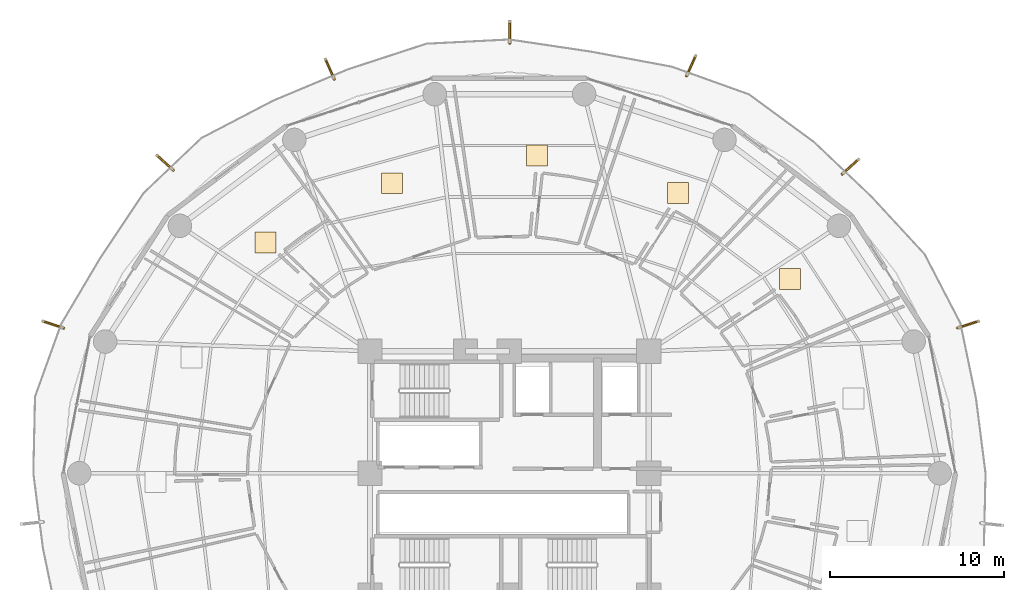
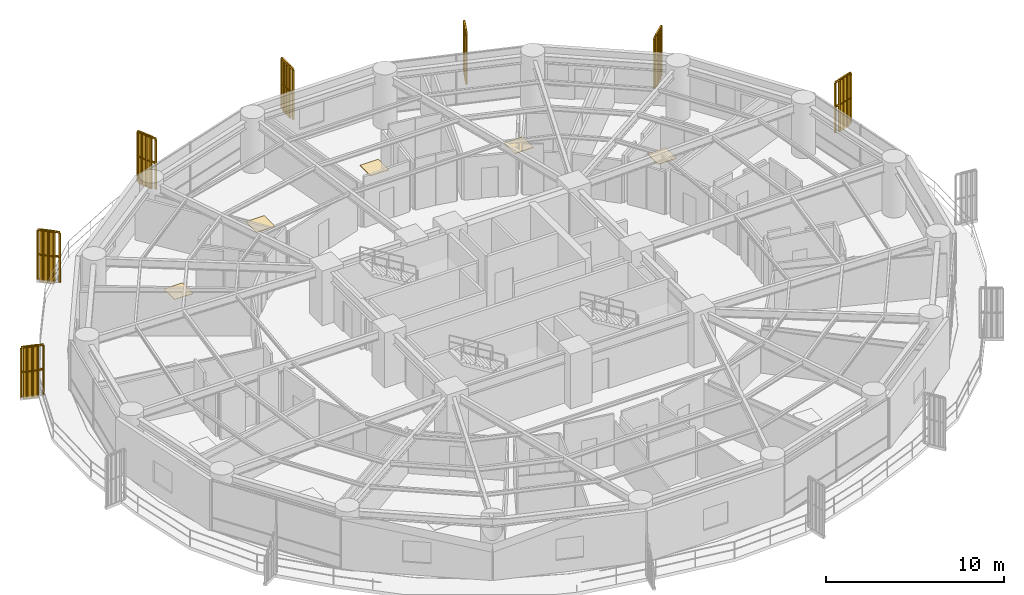
# One storey, part 35 of 35: 7 railings, 7 shading devices, 5 coverings.
"""IFC4 building model written with IfcOpenShell, lengths in metres."""

from ifc_helpers import new_model, si_unit, direction, frame, origin, origin_2d, place, context, subcontext, project, spatial, polyline, rectangle, outline, extrude, source, transform, mapped, material, layer, layer_set, type_object, element, save


model = new_model("IFC4")

# Units and contexts
model_context = context("Model", 3, precision=1e-05, world=origin(), true_north=direction((0.0, 1.0)))
body_context = subcontext(model_context, "Body", "Model", "MODEL_VIEW")
ifc_project = project(units=[si_unit("LENGTHUNIT", "METRE"), si_unit("AREAUNIT", "SQUARE_METRE"), si_unit("VOLUMEUNIT", "CUBIC_METRE"), si_unit("PLANEANGLEUNIT", "RADIAN"), si_unit("MASSUNIT", "GRAM", prefix="KILO")], contexts=[model_context])

# Site, building, storey
site_placement = place(None, origin())
site = spatial("IfcSite", under=ifc_project, at=site_placement, CompositionType="ELEMENT")
building_placement = place(site_placement, origin())
building = spatial("IfcBuilding", under=site, at=building_placement, Name="Kelanora Arch Commons", CompositionType="ELEMENT")
storey_placement = place(building_placement, frame((0.0, 0.0, 87.60009765625)))
storey = spatial("IfcBuildingStorey", under=building, at=storey_placement, Name="L22", CompositionType="ELEMENT", Elevation=87.60009765625)

# Railings
ifc_material_1 = material(Name="Anodised bronze vertical shading fin rib assembly")
railing_type = type_object("IfcRailingType", Name="RAIL-FIN-BRZ", PredefinedType="BALUSTRADE", material=ifc_material_1)
railing_1_placement = place(storey_placement, frame((93.08837890625, 75.162109375, -0.02001953125)))
element("IfcRailing", 1, at=railing_1_placement, inside=storey, type_object=railing_type, Name="Sweeping Bronze Vertical Fin Blade L22-00", PredefinedType="BALUSTRADE", context=body_context, shape_type="SweptSolid", body=[
    extrude(outline(polyline([(0.06982421875, 0.0), (0.034912109375, 0.060546875), (-0.034912109375, 0.060546875), (-0.06982421875, 0.0), (-0.034912109375, -0.060546875), (0.034912109375, -0.060546875), (0.06982421875, 0.0)])), frame((0.0, 0.0, 3.419921875), z_axis=(0.743734238384, 0.668475416643, 0.0), x_axis=(-0.668475416643, 0.743734238384, 0.0)), (0.0, 0.0, 1.0), 1.268310546875),
    extrude(outline(polyline([(0.06982421875, 0.0), (0.034912109375, 0.060546875), (-0.034912109375, 0.060546875), (-0.06982421875, 0.0), (-0.034912109375, -0.060546875), (0.034912109375, -0.060546875), (0.06982421875, 0.0)])), frame((0.0, 0.0, 1.7451171875), z_axis=(0.743734238384, 0.668475416643, 0.0), x_axis=(-0.668475416643, 0.743734238384, 0.0)), (0.0, 0.0, 1.0), 1.268310546875),
    extrude(outline(polyline([(0.080078125, 0.0), (0.0400390625, 0.0693359375), (-0.0400390625, 0.0693359375), (-0.080078125, 0.0), (-0.0400390625, -0.0693359375), (0.0400390625, -0.0693359375), (0.080078125, 0.0)])), origin(), (0.0, 0.0, 1.0), 3.35009765625),
    extrude(outline(polyline([(0.080078125, 0.0), (0.0400390625, 0.0693359375), (-0.0400390625, 0.0693359375), (-0.080078125, 0.0), (-0.0400390625, -0.0693359375), (0.0400390625, -0.0693359375), (0.080078125, 0.0)])), frame((0.23583984375, 0.2119140625, 0.0)), (0.0, 0.0, 1.0), 3.35009765625),
    extrude(outline(polyline([(0.080078125, 0.0), (0.0400390625, 0.0693359375), (-0.0400390625, 0.0693359375), (-0.080078125, 0.0), (-0.0400390625, -0.0693359375), (0.0400390625, -0.0693359375), (0.080078125, 0.0)])), frame((0.4716796875, 0.423828125, 0.0)), (0.0, 0.0, 1.0), 3.35009765625),
    extrude(outline(polyline([(0.080078125, 0.0), (0.0400390625, 0.0693359375), (-0.0400390625, 0.0693359375), (-0.080078125, 0.0), (-0.0400390625, -0.0693359375), (0.0400390625, -0.0693359375), (0.080078125, 0.0)])), frame((0.70751953125, 0.635986328125, 0.0)), (0.0, 0.0, 1.0), 3.35009765625),
    extrude(outline(polyline([(0.080078125, 0.0), (0.0400390625, 0.0693359375), (-0.0400390625, 0.0693359375), (-0.080078125, 0.0), (-0.0400390625, -0.0693359375), (0.0400390625, -0.0693359375), (0.080078125, 0.0)])), frame((0.943359375, 0.847900390625, 0.0)), (0.0, 0.0, 1.0), 3.35009765625),
])
railing_2_placement = place(storey_placement, frame((84.165283203125, 80.78662109375, -0.02001953125)))
element("IfcRailing", 2, at=railing_2_placement, inside=storey, type_object=railing_type, Name="Sweeping Bronze Vertical Fin Blade L22-01", PredefinedType="BALUSTRADE", context=body_context, shape_type="SweptSolid", body=[
    extrude(outline(polyline([(0.06982421875, 0.0), (0.034912109375, 0.060546875), (-0.034912109375, 0.060546875), (-0.06982421875, 0.0), (-0.034912109375, -0.060546875), (0.034912109375, -0.060546875), (0.06982421875, 0.0)])), frame((0.0, 0.0, 3.419921875), z_axis=(0.407352711097, 0.913270917506, 0.0), x_axis=(-0.913270917506, 0.407352711097, 0.0)), (0.0, 0.0, 1.0), 1.268310546875),
    extrude(outline(polyline([(0.06982421875, 0.0), (0.034912109375, 0.060546875), (-0.034912109375, 0.060546875), (-0.06982421875, 0.0), (-0.034912109375, -0.060546875), (0.034912109375, -0.060546875), (0.06982421875, 0.0)])), frame((0.0, 0.0, 1.7451171875), z_axis=(0.407352711097, 0.913270917506, 0.0), x_axis=(-0.913270917506, 0.407352711097, 0.0)), (0.0, 0.0, 1.0), 1.268310546875),
    extrude(outline(polyline([(0.080078125, 0.0), (0.0400390625, 0.0693359375), (-0.0400390625, 0.0693359375), (-0.080078125, 0.0), (-0.0400390625, -0.0693359375), (0.0400390625, -0.0693359375), (0.080078125, 0.0)])), origin(), (0.0, 0.0, 1.0), 3.35009765625),
    extrude(outline(polyline([(0.080078125, 0.0), (0.0400390625, 0.0693359375), (-0.0400390625, 0.0693359375), (-0.080078125, 0.0), (-0.0400390625, -0.0693359375), (0.0400390625, -0.0693359375), (0.080078125, 0.0)])), frame((0.129150390625, 0.28955078125, 0.0)), (0.0, 0.0, 1.0), 3.35009765625),
    extrude(outline(polyline([(0.080078125, 0.0), (0.0400390625, 0.0693359375), (-0.0400390625, 0.0693359375), (-0.080078125, 0.0), (-0.0400390625, -0.0693359375), (0.0400390625, -0.0693359375), (0.080078125, 0.0)])), frame((0.25830078125, 0.5791015625, 0.0)), (0.0, 0.0, 1.0), 3.35009765625),
    extrude(outline(polyline([(0.080078125, 0.0), (0.0400390625, 0.0693359375), (-0.0400390625, 0.0693359375), (-0.080078125, 0.0), (-0.0400390625, -0.0693359375), (0.0400390625, -0.0693359375), (0.080078125, 0.0)])), frame((0.387451171875, 0.86865234375, 0.0)), (0.0, 0.0, 1.0), 3.35009765625),
    extrude(outline(polyline([(0.080078125, 0.0), (0.0400390625, 0.0693359375), (-0.0400390625, 0.0693359375), (-0.080078125, 0.0), (-0.0400390625, -0.0693359375), (0.0400390625, -0.0693359375), (0.080078125, 0.0)])), frame((0.5166015625, 1.158203125, 0.0)), (0.0, 0.0, 1.0), 3.35009765625),
])
railing_3_placement = place(storey_placement, frame((74.01806640625, 82.66357421875, -0.02001953125)))
element("IfcRailing", 3, at=railing_3_placement, inside=storey, type_object=railing_type, Name="Sweeping Bronze Vertical Fin Blade L22-02", PredefinedType="BALUSTRADE", context=body_context, shape_type="SweptSolid", body=[
    extrude(outline(polyline([(0.06982421875, 0.0), (0.034912109375, 0.060546875), (-0.034912109375, 0.060546875), (-0.06982421875, 0.0), (-0.034912109375, -0.060546875), (0.034912109375, -0.060546875), (0.06982421875, 0.0)])), frame((0.0, 0.0, 3.419921875), z_axis=(0.000769822713, 0.999999703686, 0.0), x_axis=(-0.999999703686, 0.000769822713, 0.0)), (0.0, 0.0, 1.0), 1.2685546875),
    extrude(outline(polyline([(0.06982421875, 0.0), (0.034912109375, 0.060546875), (-0.034912109375, 0.060546875), (-0.06982421875, 0.0), (-0.034912109375, -0.060546875), (0.034912109375, -0.060546875), (0.06982421875, 0.0)])), frame((0.0, 0.0, 1.7451171875), z_axis=(0.000769822713, 0.999999703686, 0.0), x_axis=(-0.999999703686, 0.000769822713, 0.0)), (0.0, 0.0, 1.0), 1.2685546875),
    extrude(outline(polyline([(0.080078125, 0.0), (0.0400390625, 0.0693359375), (-0.0400390625, 0.0693359375), (-0.080078125, 0.0), (-0.0400390625, -0.0693359375), (0.0400390625, -0.0693359375), (0.080078125, 0.0)])), origin(), (0.0, 0.0, 1.0), 3.35009765625),
    extrude(outline(polyline([(0.080078125, 0.0), (0.0400390625, 0.0693359375), (-0.0400390625, 0.0693359375), (-0.080078125, 0.0), (-0.0400390625, -0.0693359375), (0.0400390625, -0.0693359375), (0.080078125, 0.0)])), frame((0.000244140625, 0.317138671875, 0.0)), (0.0, 0.0, 1.0), 3.35009765625),
    extrude(outline(polyline([(0.080078125, 0.0), (0.0400390625, 0.0693359375), (-0.0400390625, 0.0693359375), (-0.080078125, 0.0), (-0.0400390625, -0.0693359375), (0.0400390625, -0.0693359375), (0.080078125, 0.0)])), frame((0.00048828125, 0.63427734375, 0.0)), (0.0, 0.0, 1.0), 3.35009765625),
    extrude(outline(polyline([(0.080078125, 0.0), (0.0400390625, 0.0693359375), (-0.0400390625, 0.0693359375), (-0.080078125, 0.0), (-0.0400390625, -0.0693359375), (0.0400390625, -0.0693359375), (0.080078125, 0.0)])), frame((0.000732421875, 0.951416015625, 0.0)), (0.0, 0.0, 1.0), 3.35009765625),
    extrude(outline(polyline([(0.080078125, 0.0), (0.0400390625, 0.0693359375), (-0.0400390625, 0.0693359375), (-0.080078125, 0.0), (-0.0400390625, -0.0693359375), (0.0400390625, -0.0693359375), (0.080078125, 0.0)])), frame((0.0009765625, 1.2685546875, 0.0)), (0.0, 0.0, 1.0), 3.35009765625),
])
railing_4_placement = place(storey_placement, frame((63.954833984375, 80.6064453125, -0.02001953125)))
element("IfcRailing", 4, at=railing_4_placement, inside=storey, type_object=railing_type, Name="Sweeping Bronze Vertical Fin Blade L22-03", PredefinedType="BALUSTRADE", context=body_context, shape_type="SweptSolid", body=[
    extrude(outline(polyline([(0.06982421875, 0.0), (0.034912109375, 0.060546875), (-0.034912109375, 0.060546875), (-0.06982421875, 0.0), (-0.034912109375, -0.060546875), (0.034912109375, -0.060546875), (0.06982421875, 0.0)])), frame((0.0, 0.0, 3.419921875), z_axis=(-0.406102750448, 0.913827421387, 0.0), x_axis=(-0.913827421387, -0.406102750448, 0.0)), (0.0, 0.0, 1.0), 1.2685546875),
    extrude(outline(polyline([(0.06982421875, 0.0), (0.034912109375, 0.060546875), (-0.034912109375, 0.060546875), (-0.06982421875, 0.0), (-0.034912109375, -0.060546875), (0.034912109375, -0.060546875), (0.06982421875, 0.0)])), frame((0.0, 0.0, 1.7451171875), z_axis=(-0.406102750448, 0.913827421387, 0.0), x_axis=(-0.913827421387, -0.406102750448, 0.0)), (0.0, 0.0, 1.0), 1.2685546875),
    extrude(outline(polyline([(0.080078125, 0.0), (0.0400390625, 0.0693359375), (-0.0400390625, 0.0693359375), (-0.080078125, 0.0), (-0.0400390625, -0.0693359375), (0.0400390625, -0.0693359375), (0.080078125, 0.0)])), origin(), (0.0, 0.0, 1.0), 3.35009765625),
    extrude(outline(polyline([(0.080078125, 0.0), (0.0400390625, 0.0693359375), (-0.0400390625, 0.0693359375), (-0.080078125, 0.0), (-0.0400390625, -0.0693359375), (0.0400390625, -0.0693359375), (0.080078125, 0.0)])), frame((-0.12890625, 0.289794921875, 0.0)), (0.0, 0.0, 1.0), 3.35009765625),
    extrude(outline(polyline([(0.080078125, 0.0), (0.0400390625, 0.0693359375), (-0.0400390625, 0.0693359375), (-0.080078125, 0.0), (-0.0400390625, -0.0693359375), (0.0400390625, -0.0693359375), (0.080078125, 0.0)])), frame((-0.257568359375, 0.57958984375, 0.0)), (0.0, 0.0, 1.0), 3.35009765625),
    extrude(outline(polyline([(0.080078125, 0.0), (0.0400390625, 0.0693359375), (-0.0400390625, 0.0693359375), (-0.080078125, 0.0), (-0.0400390625, -0.0693359375), (0.0400390625, -0.0693359375), (0.080078125, 0.0)])), frame((-0.38623046875, 0.869384765625, 0.0)), (0.0, 0.0, 1.0), 3.35009765625),
    extrude(outline(polyline([(0.080078125, 0.0), (0.0400390625, 0.0693359375), (-0.0400390625, 0.0693359375), (-0.080078125, 0.0), (-0.0400390625, -0.0693359375), (0.0400390625, -0.0693359375), (0.080078125, 0.0)])), frame((-0.51513671875, 1.1591796875, 0.0)), (0.0, 0.0, 1.0), 3.35009765625),
])
railing_5_placement = place(storey_placement, frame((54.71484375, 75.389892578125, -0.02001953125)))
element("IfcRailing", 5, at=railing_5_placement, inside=storey, type_object=railing_type, Name="Sweeping Bronze Vertical Fin Blade L22-04", PredefinedType="BALUSTRADE", context=body_context, shape_type="SweptSolid", body=[
    extrude(outline(polyline([(0.06982421875, 0.0), (0.034912109375, 0.060546875), (-0.034912109375, 0.060546875), (-0.06982421875, 0.0), (-0.034912109375, -0.060546875), (0.034912109375, -0.060546875), (0.06982421875, 0.0)])), frame((0.0, 0.0, 3.419921875), z_axis=(-0.74263352754, 0.669698024317, 0.0), x_axis=(-0.669698024317, -0.74263352754, 0.0)), (0.0, 0.0, 1.0), 1.2685546875),
    extrude(outline(polyline([(0.06982421875, 0.0), (0.034912109375, 0.060546875), (-0.034912109375, 0.060546875), (-0.06982421875, 0.0), (-0.034912109375, -0.060546875), (0.034912109375, -0.060546875), (0.06982421875, 0.0)])), frame((0.0, 0.0, 1.7451171875), z_axis=(-0.74263352754, 0.669698024317, 0.0), x_axis=(-0.669698024317, -0.74263352754, 0.0)), (0.0, 0.0, 1.0), 1.2685546875),
    extrude(outline(polyline([(0.080078125, 0.0), (0.0400390625, 0.0693359375), (-0.0400390625, 0.0693359375), (-0.080078125, 0.0), (-0.0400390625, -0.0693359375), (0.0400390625, -0.0693359375), (0.080078125, 0.0)])), origin(), (0.0, 0.0, 1.0), 3.35009765625),
    extrude(outline(polyline([(0.080078125, 0.0), (0.0400390625, 0.0693359375), (-0.0400390625, 0.0693359375), (-0.080078125, 0.0), (-0.0400390625, -0.0693359375), (0.0400390625, -0.0693359375), (0.080078125, 0.0)])), frame((-0.235595703125, 0.21240234375, 0.0)), (0.0, 0.0, 1.0), 3.35009765625),
    extrude(outline(polyline([(0.080078125, 0.0), (0.0400390625, 0.0693359375), (-0.0400390625, 0.0693359375), (-0.080078125, 0.0), (-0.0400390625, -0.0693359375), (0.0400390625, -0.0693359375), (0.080078125, 0.0)])), frame((-0.47119140625, 0.4248046875, 0.0)), (0.0, 0.0, 1.0), 3.35009765625),
    extrude(outline(polyline([(0.080078125, 0.0), (0.0400390625, 0.0693359375), (-0.0400390625, 0.0693359375), (-0.080078125, 0.0), (-0.0400390625, -0.0693359375), (0.0400390625, -0.0693359375), (0.080078125, 0.0)])), frame((-0.70654296875, 0.63720703125, 0.0)), (0.0, 0.0, 1.0), 3.35009765625),
    extrude(outline(polyline([(0.080078125, 0.0), (0.0400390625, 0.0693359375), (-0.0400390625, 0.0693359375), (-0.080078125, 0.0), (-0.0400390625, -0.0693359375), (0.0400390625, -0.0693359375), (0.080078125, 0.0)])), frame((-0.942138671875, 0.849609375, 0.0)), (0.0, 0.0, 1.0), 3.35009765625),
])
railing_6_placement = place(storey_placement, frame((48.431396484375, 66.328369140625, -0.02001953125)))
element("IfcRailing", 6, at=railing_6_placement, inside=storey, type_object=railing_type, Name="Sweeping Bronze Vertical Fin Blade L22-05", PredefinedType="BALUSTRADE", context=body_context, shape_type="SweptSolid", body=[
    extrude(outline(polyline([(0.06982421875, 0.0), (0.034912109375, 0.060546875), (-0.034912109375, 0.060546875), (-0.06982421875, 0.0), (-0.034912109375, -0.060546875), (0.034912109375, -0.060546875), (0.06982421875, 0.0)])), frame((0.0, 0.0, 3.419921875), z_axis=(-0.950835847572, 0.309695319584, 0.0), x_axis=(-0.309695319584, -0.950835847572, 0.0)), (0.0, 0.0, 1.0), 1.268310546875),
    extrude(outline(polyline([(0.06982421875, 0.0), (0.034912109375, 0.060546875), (-0.034912109375, 0.060546875), (-0.06982421875, 0.0), (-0.034912109375, -0.060546875), (0.034912109375, -0.060546875), (0.06982421875, 0.0)])), frame((0.0, 0.0, 1.7451171875), z_axis=(-0.950835847572, 0.309695319584, 0.0), x_axis=(-0.309695319584, -0.950835847572, 0.0)), (0.0, 0.0, 1.0), 1.268310546875),
    extrude(outline(polyline([(0.080078125, 0.0), (0.0400390625, 0.0693359375), (-0.0400390625, 0.0693359375), (-0.080078125, 0.0), (-0.0400390625, -0.0693359375), (0.0400390625, -0.0693359375), (0.080078125, 0.0)])), origin(), (0.0, 0.0, 1.0), 3.35009765625),
    extrude(outline(polyline([(0.080078125, 0.0), (0.0400390625, 0.0693359375), (-0.0400390625, 0.0693359375), (-0.080078125, 0.0), (-0.0400390625, -0.0693359375), (0.0400390625, -0.0693359375), (0.080078125, 0.0)])), frame((-0.301513671875, 0.09814453125, 0.0)), (0.0, 0.0, 1.0), 3.35009765625),
    extrude(outline(polyline([(0.080078125, 0.0), (0.0400390625, 0.0693359375), (-0.0400390625, 0.0693359375), (-0.080078125, 0.0), (-0.0400390625, -0.0693359375), (0.0400390625, -0.0693359375), (0.080078125, 0.0)])), frame((-0.60302734375, 0.1962890625, 0.0)), (0.0, 0.0, 1.0), 3.35009765625),
    extrude(outline(polyline([(0.080078125, 0.0), (0.0400390625, 0.0693359375), (-0.0400390625, 0.0693359375), (-0.080078125, 0.0), (-0.0400390625, -0.0693359375), (0.0400390625, -0.0693359375), (0.080078125, 0.0)])), frame((-0.904541015625, 0.294677734375, 0.0)), (0.0, 0.0, 1.0), 3.35009765625),
    extrude(outline(polyline([(0.080078125, 0.0), (0.0400390625, 0.0693359375), (-0.0400390625, 0.0693359375), (-0.080078125, 0.0), (-0.0400390625, -0.0693359375), (0.0400390625, -0.0693359375), (0.080078125, 0.0)])), frame((-1.2060546875, 0.392822265625, 0.0)), (0.0, 0.0, 1.0), 3.35009765625),
])
railing_7_placement = place(storey_placement, frame((99.706298828125, 66.331787109375, -0.02001953125)))
element("IfcRailing", 7, at=railing_7_placement, inside=storey, type_object=railing_type, Name="Sweeping Bronze Vertical Fin Blade L22-14", PredefinedType="BALUSTRADE", context=body_context, shape_type="SweptSolid", body=[
    extrude(outline(polyline([(0.06982421875, 0.0), (0.034912109375, 0.060546875), (-0.034912109375, 0.060546875), (-0.06982421875, 0.0), (-0.034912109375, -0.060546875), (0.034912109375, -0.060546875), (0.06982421875, 0.0)])), frame((0.0, 0.0, 3.419921875), z_axis=(0.951286906454, 0.308307024912, 0.0), x_axis=(-0.308307024912, 0.951286906454, 0.0)), (0.0, 0.0, 1.0), 1.2685546875),
    extrude(outline(polyline([(0.06982421875, 0.0), (0.034912109375, 0.060546875), (-0.034912109375, 0.060546875), (-0.06982421875, 0.0), (-0.034912109375, -0.060546875), (0.034912109375, -0.060546875), (0.06982421875, 0.0)])), frame((0.0, 0.0, 1.7451171875), z_axis=(0.951286906454, 0.308307024912, 0.0), x_axis=(-0.308307024912, 0.951286906454, 0.0)), (0.0, 0.0, 1.0), 1.2685546875),
    extrude(outline(polyline([(0.080078125, 0.0), (0.0400390625, 0.0693359375), (-0.0400390625, 0.0693359375), (-0.080078125, 0.0), (-0.0400390625, -0.0693359375), (0.0400390625, -0.0693359375), (0.080078125, 0.0)])), origin(), (0.0, 0.0, 1.0), 3.35009765625),
    extrude(outline(polyline([(0.080078125, 0.0), (0.0400390625, 0.0693359375), (-0.0400390625, 0.0693359375), (-0.080078125, 0.0), (-0.0400390625, -0.0693359375), (0.0400390625, -0.0693359375), (0.080078125, 0.0)])), frame((0.3017578125, 0.09765625, 0.0)), (0.0, 0.0, 1.0), 3.35009765625),
    extrude(outline(polyline([(0.080078125, 0.0), (0.0400390625, 0.0693359375), (-0.0400390625, 0.0693359375), (-0.080078125, 0.0), (-0.0400390625, -0.0693359375), (0.0400390625, -0.0693359375), (0.080078125, 0.0)])), frame((0.603515625, 0.195556640625, 0.0)), (0.0, 0.0, 1.0), 3.35009765625),
    extrude(outline(polyline([(0.080078125, 0.0), (0.0400390625, 0.0693359375), (-0.0400390625, 0.0693359375), (-0.080078125, 0.0), (-0.0400390625, -0.0693359375), (0.0400390625, -0.0693359375), (0.080078125, 0.0)])), frame((0.905029296875, 0.29345703125, 0.0)), (0.0, 0.0, 1.0), 3.35009765625),
    extrude(outline(polyline([(0.080078125, 0.0), (0.0400390625, 0.0693359375), (-0.0400390625, 0.0693359375), (-0.080078125, 0.0), (-0.0400390625, -0.0693359375), (0.0400390625, -0.0693359375), (0.080078125, 0.0)])), frame((1.206787109375, 0.39111328125, 0.0)), (0.0, 0.0, 1.0), 3.35009765625),
])

# Shading devices
ifc_material_2 = material(Name="Terracotta ceramic-clad extruded aluminium fin", Category="masonry")
shading_device_type = type_object("IfcShadingDeviceType", Name="SHD-FIN-FLARE", PredefinedType="USERDEFINED", material=ifc_material_2)
shared_shape_1 = source(origin(), body_context, "Body", "SweptSolid", [
    extrude(rectangle(XDim=0.8798828125, YDim=0.090087890625, at=origin_2d()), origin(), (0.0, 0.0, 1.0), 3.610107421875),
])
for number, where, z_axis, x_axis, name in (
    (8, (93.623779296875, 75.643310546875, -0.14013671875), (0.0, 0.0, 1.0), (0.743611785628, 0.668611630377, 0.0), "Sweeping Terracotta Fin L22-00"),
    (9, (84.45849609375, 81.444091796875, -0.14013671875), (0.0, 0.0, 1.0), (0.407374318949, 0.913261279296, 0.0), "Sweeping Terracotta Fin L22-01"),
    (10, (74.0185546875, 83.383544921875, -0.14013671875), (0.0, 0.0, 1.0), (0.000698131644, 0.999999756306, 0.0), "Sweeping Terracotta Fin L22-02"),
    (11, (63.66259765625, 81.264404296875, -0.14013671875), (0.0, 0.0, 1.0), (-0.406098768964, 0.913829190738, 0.0), "Sweeping Terracotta Fin L22-03"),
    (12, (54.18017578125, 75.872314453125, -0.14013671875), (0.0, 0.0, 1.0), (-0.742677503127, 0.669649256215, 0.0), "Sweeping Terracotta Fin L22-04"),
    (13, (47.746826171875, 66.551513671875, -0.14013671875), (0.0, 0.0, 1.0), (-0.950840549986, 0.309680881719, 0.0), "Sweeping Terracotta Fin L22-05"),
    (14, (100.391357421875, 66.5537109375, -0.14013671875), (0.0, 0.0, 1.0), (0.951272019071, 0.30835295642, 0.0), "Sweeping Terracotta Fin L22-14"),
):
    element("IfcShadingDevice", number, at=place(storey_placement, frame(where, z_axis=z_axis, x_axis=x_axis)), inside=storey, type_object=shading_device_type, Name=name, ObjectType="FIN", PredefinedType="USERDEFINED", context=body_context, shape_type="MappedRepresentation", body=[
        mapped(shared_shape_1, transform((0.0, 0.0, 0.0), scale=1.0)),
    ])

# Coverings
ifc_material_3 = material(Name="Polished local granite terrazzo flooring", Category="masonry")
ifc_layer = layer(ifc_material_3, 0.030029296875)
ifc_layer_set = layer_set([ifc_layer], Name="Polished local granite terrazzo flooring")
covering_type = type_object("IfcCoveringType", Name="COV-FLR-TER", PredefinedType="FLOORING", material=ifc_layer_set)
shared_shape_2 = source(origin(), body_context, "Body", "SweptSolid", [
    extrude(rectangle(XDim=1.199951171875, YDim=1.199951171875, at=origin_2d()), origin(), (0.0, 0.0, 1.0), 0.030029296875),
])
for number, where, z_axis, x_axis, name in (
    (15, (90.10302734375, 69.137939453125, 0.0), (0.0, 0.0, 1.0), (1.0, 0.0, 0.0), "Co-Living Studio L22-01 Terrazzo Finish"),
    (16, (83.677001953125, 74.068359375, 0.0), (0.0, 0.0, 1.0), (1.0, 0.0, 0.0), "Co-Living Studio L22-02 Terrazzo Finish"),
    (17, (75.57763671875, 76.219970703125, 0.0), (0.0, 0.0, 1.0), (1.0, 0.0, 0.0), "Co-Living Studio L22-03 Terrazzo Finish"),
    (18, (67.273681640625, 74.636962890625, 0.0), (0.0, 0.0, 1.0), (1.0, 0.0, 0.0), "Communal Dining and Social Hall L22-04 Terrazzo Finish"),
    (19, (60.00830078125, 71.244873046875, 0.0), (0.0, 0.0, 1.0), (1.0, 0.0, 0.0), "Co-Living Studio L22-05 Terrazzo Finish"),
):
    element("IfcCovering", number, at=place(storey_placement, frame(where, z_axis=z_axis, x_axis=x_axis)), inside=storey, type_object=covering_type, Name=name, PredefinedType="FLOORING", context=body_context, shape_type="MappedRepresentation", body=[
        mapped(shared_shape_2, transform((0.0, 0.0, 0.0), scale=1.0)),
    ])

save(model, "model.ifc")
